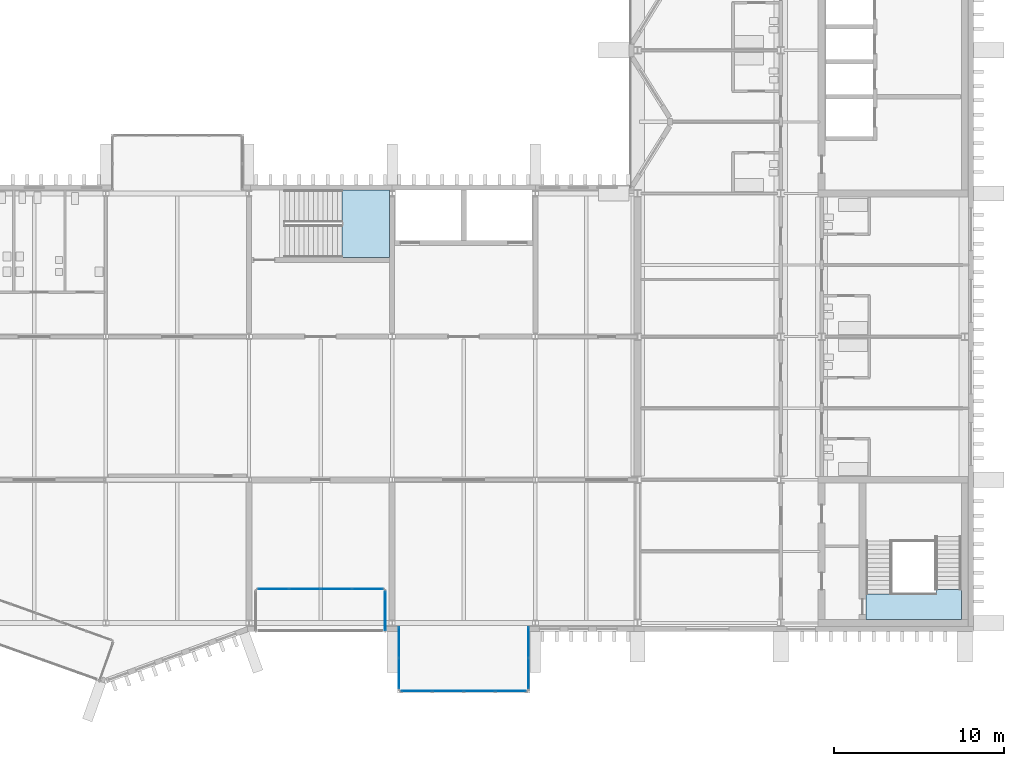
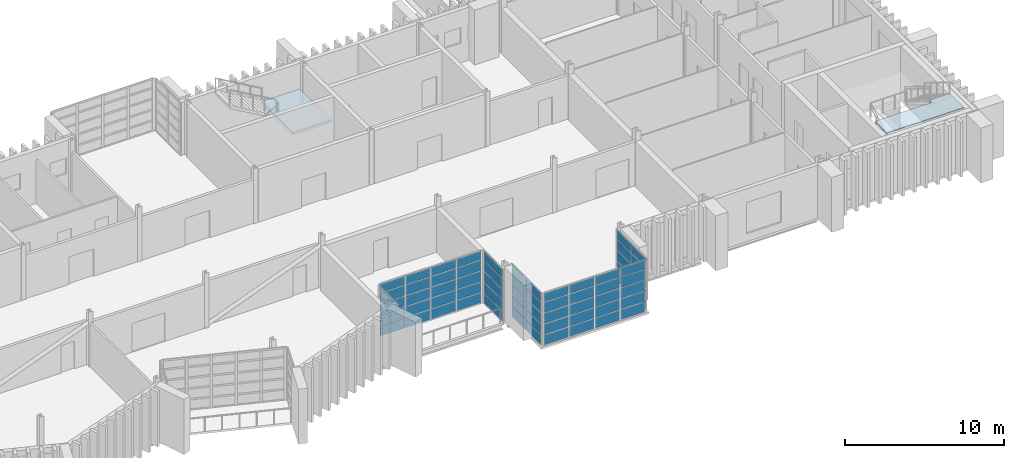
# One storey, part 55 of 100: 65 plates, 2 slabs, 7 elements without a shape of their own.
"""IFC4 building model written with IfcOpenShell, lengths in metres."""

import ifcopenshell
import ifcopenshell.guid

model = None  # the IFC model being written
_history = None  # IfcOwnerHistory: only IFC2X3 demands one
_inside = {}  # id of a spatial element -> (the spatial element, [elements in it])
_under = {}  # id of a project, library or spatial element -> (it, [spatial elements below it])
_declared = {}  # id of a project -> (the project, [libraries it declares])
_typed = {}  # id of a type object -> (the type object, [elements of that type])
_made_of = {}  # id of a material, layer set ... -> (it, [elements and type objects made of it])


def new_model(schema):
    """Start an empty IFC model of exactly this schema.

    Asked for "IFC4X3", IfcOpenShell would pick the latest addendum, in which some entities
    have other attributes; the version numbers below select the first issue.
    IFC2X3 requires an IfcOwnerHistory on every rooted entity: one is made here for all.
    """
    global model, _history
    if schema == "IFC4X3":
        model = ifcopenshell.file(schema_version=(4, 3, 0, 0))
    else:
        model = ifcopenshell.file(schema=schema)
    _inside.clear()
    _under.clear()
    _declared.clear()
    _typed.clear()
    _made_of.clear()
    _history = None
    if model.schema == "IFC2X3":
        org = make("IfcOrganization", Name="unknown")
        user = make(
            "IfcPersonAndOrganization",
            ThePerson=make("IfcPerson", FamilyName="unknown"),
            TheOrganization=org,
        )
        app = make(
            "IfcApplication",
            ApplicationDeveloper=org,
            Version="unknown",
            ApplicationFullName="unknown",
            ApplicationIdentifier="unknown",
        )
        _history = make(
            "IfcOwnerHistory",
            OwningUser=user,
            OwningApplication=app,
            ChangeAction="ADDED",
            CreationDate=0,
        )
    return model


def make(cls, **values):
    """One entity of the class cls with the attributes given. An attribute that is None is left unset."""
    return model.create_entity(
        cls, **{name: value for name, value in values.items() if value is not None}
    )


def rooted(cls, **values):
    """An entity with a GlobalId (a new one), such as an element, a storey or a relation."""
    return make(cls, GlobalId=ifcopenshell.guid.new(), OwnerHistory=_history, **values)


def si_unit(unit_type, name, prefix=None):
    """IfcSIUnit, for example si_unit("LENGTHUNIT", "METRE", prefix="MILLI")."""
    return make("IfcSIUnit", UnitType=unit_type, Prefix=prefix, Name=name)


def assignment(units):
    """IfcUnitAssignment: the units of a project."""
    return None if units is None else make("IfcUnitAssignment", Units=units)


def point(xyz):
    """IfcCartesianPoint."""
    return None if xyz is None else make("IfcCartesianPoint", Coordinates=xyz)


def direction(xyz):
    """IfcDirection."""
    return None if xyz is None else make("IfcDirection", DirectionRatios=xyz)


def frame(location, z_axis=None, x_axis=None):
    """IfcAxis2Placement3D, a coordinate frame: its origin and axes. An axis left out is left unset."""
    return make(
        "IfcAxis2Placement3D",
        Location=point(location),
        Axis=direction(z_axis),
        RefDirection=direction(x_axis),
    )


def frame_2d(location, x_axis=None):
    """IfcAxis2Placement2D, a coordinate frame in the plane: its origin and x axis."""
    return make(
        "IfcAxis2Placement2D", Location=point(location), RefDirection=direction(x_axis)
    )


def origin():
    """The frame at (0, 0, 0) with its axes left unset."""
    return frame((0.0, 0.0, 0.0))


def origin_2d():
    """The frame at (0, 0) in the plane with its x axis left unset."""
    return frame_2d((0.0, 0.0))


def place(relative_to, where):
    """IfcLocalPlacement: puts the frame where relative to a parent placement (None: the world)."""
    return make(
        "IfcLocalPlacement", PlacementRelTo=relative_to, RelativePlacement=where
    )


def context(
    kind, dimensions, precision=None, world=None, true_north=None, identifier=None
):
    """IfcGeometricRepresentationContext, for example the 3D "Model" context."""
    return make(
        "IfcGeometricRepresentationContext",
        ContextIdentifier=identifier,
        ContextType=kind,
        CoordinateSpaceDimension=dimensions,
        Precision=precision,
        WorldCoordinateSystem=world,
        TrueNorth=true_north,
    )


def subcontext(parent, identifier, kind, view, scale=None):
    """IfcGeometricRepresentationSubContext, for example "Body" below "Model"."""
    return make(
        "IfcGeometricRepresentationSubContext",
        ContextIdentifier=identifier,
        ContextType=kind,
        ParentContext=parent,
        TargetScale=scale,
        TargetView=view,
    )


def project(units=None, contexts=None):
    """IfcProject with its units and contexts."""
    return rooted(
        "IfcProject",
        Name="project",
        RepresentationContexts=contexts,
        UnitsInContext=assignment(units),
    )


def spatial(cls, under=None, at=None, **own):
    """A site, building, storey or space (cls), placed at a placement, below another one or the project."""
    s = rooted(cls, ObjectPlacement=at, **own)
    if under is not None:
        _under.setdefault(under.id(), (under, []))[1].append(s)
    return s


def polyline(points):
    """IfcPolyline through the points."""
    return make("IfcPolyline", Points=[point(p) for p in points])


def profile(cls, at=None, kind="AREA", **sizes):
    """A parametric profile (cls). Its sizes go by their IFC names, for example OverallWidth=200.0."""
    return make(cls, ProfileType=kind, Position=at, **sizes)


def rectangle(**sizes):
    """IfcRectangleProfileDef."""
    return profile("IfcRectangleProfileDef", **sizes)


def outline(outer, holes=None, kind="AREA"):
    """IfcArbitraryClosedProfileDef: a profile drawn as a closed curve; with holes, ...WithVoids."""
    if holes is None:
        return make("IfcArbitraryClosedProfileDef", ProfileType=kind, OuterCurve=outer)
    return make(
        "IfcArbitraryProfileDefWithVoids",
        ProfileType=kind,
        OuterCurve=outer,
        InnerCurves=holes,
    )


def extrude(swept, where, along, depth):
    """IfcExtrudedAreaSolid: the profile swept, set in the frame where, extruded along a direction by depth."""
    return make(
        "IfcExtrudedAreaSolid",
        SweptArea=swept,
        Position=where,
        ExtrudedDirection=direction(along),
        Depth=depth,
    )


def shape(context_of_items, identifier, shape_type, items):
    """IfcShapeRepresentation: the items that make up one representation, for example the "Body"."""
    return make(
        "IfcShapeRepresentation",
        ContextOfItems=context_of_items,
        RepresentationIdentifier=identifier,
        RepresentationType=shape_type,
        Items=items,
    )


def material(Name=None, Category=None):
    """IfcMaterial."""
    return make("IfcMaterial", Name=Name, Category=Category)


def layer(
    of_material, thickness, ventilated=None, Name=None, Category=None, Priority=None
):
    """IfcMaterialLayer: one layer of a wall or slab, of a material (None: an air gap)."""
    return make(
        "IfcMaterialLayer",
        Material=of_material,
        LayerThickness=thickness,
        IsVentilated=ventilated,
        Name=Name,
        Category=Category,
        Priority=Priority,
    )


def layer_set(layers, Name=None):
    """IfcMaterialLayerSet."""
    return make("IfcMaterialLayerSet", MaterialLayers=layers, LayerSetName=Name)


def made_of(thing, what):
    """Note that an element or type object is made of a material, layer set ...; save() writes the relation."""
    if what is not None:
        _made_of.setdefault(what.id(), (what, []))[1].append(thing)
    return thing


def type_object(cls, material=None, **own):
    """A type object (cls), such as IfcWallType, which elements share."""
    return made_of(rooted(cls, **own), material)


def element(
    cls,
    number,
    at=None,
    inside=None,
    cuts=None,
    type_object=None,
    material=None,
    context=None,
    identifier="Body",
    shape_type=None,
    held_by="IfcProductDefinitionShape",
    body=None,
    shapes=None,
    **own,
):
    """One element of the class cls, such as IfcWall. Its Tag is "e" and its number.

    at: its placement. inside: the storey or other place that contains it. cuts: it is an
    opening in that element (IfcRelVoidsElement). A single representation is given by context,
    identifier, shape_type and body (its items); several are given by shapes. held_by: the class
    of the entity that holds the representations. save() writes the other relations.
    """
    e = rooted(cls, Tag="e%d" % number, ObjectPlacement=at, **own)
    if body is not None:
        shapes = [shape(context, identifier, shape_type, body)]
    if shapes is not None:
        e.Representation = make(held_by, Representations=shapes)
    if inside is not None:
        _inside.setdefault(inside.id(), (inside, []))[1].append(e)
    if cuts is not None:
        rooted(
            "IfcRelVoidsElement", RelatingBuildingElement=cuts, RelatedOpeningElement=e
        )
    if type_object is not None:
        _typed.setdefault(type_object.id(), (type_object, []))[1].append(e)
    return made_of(e, material)


def aggregate(whole, parts):
    """IfcRelAggregates: a whole, such as a stair, and the parts it consists of."""
    return rooted("IfcRelAggregates", RelatingObject=whole, RelatedObjects=parts)


def save(model, path):
    """Write the relations noted so far, then the file.

    IfcRelAggregates (storeys below a building ...), IfcRelContainedInSpatialStructure (elements
    in a storey), IfcRelDefinesByType, IfcRelAssociatesMaterial and IfcRelDeclares: one each for
    every whole, place, type object, material and project.
    """
    for whole, parts in _under.values():
        aggregate(whole, parts)
    for where, things in _inside.values():
        rooted(
            "IfcRelContainedInSpatialStructure",
            RelatedElements=things,
            RelatingStructure=where,
        )
    for kind, things in _typed.values():
        rooted("IfcRelDefinesByType", RelatedObjects=things, RelatingType=kind)
    for what, things in _made_of.values():
        rooted("IfcRelAssociatesMaterial", RelatedObjects=things, RelatingMaterial=what)
    for by, libraries in _declared.values():
        rooted("IfcRelDeclares", RelatingContext=by, RelatedDefinitions=libraries)
    model.write(path)


model = new_model("IFC4")

# Units and contexts
model_context = context("Model", 3, precision=1e-05, world=origin(), true_north=direction((0.0, 1.0)))
body_context = subcontext(model_context, "Body", "Model", "MODEL_VIEW")
ifc_project = project(units=[si_unit("LENGTHUNIT", "METRE"), si_unit("AREAUNIT", "SQUARE_METRE"), si_unit("VOLUMEUNIT", "CUBIC_METRE"), si_unit("PLANEANGLEUNIT", "RADIAN"), si_unit("MASSUNIT", "GRAM", prefix="KILO")], contexts=[model_context])

# Site, building, storey
site_placement = place(None, origin())
site = spatial("IfcSite", under=ifc_project, at=site_placement, CompositionType="ELEMENT")
building_placement = place(site_placement, origin())
building = spatial("IfcBuilding", under=site, at=building_placement, Name="Cresset Court Congress Hotel", CompositionType="ELEMENT")
storey_placement = place(building_placement, frame((0.0, 0.0, 10.199951171875)))
storey = spatial("IfcBuildingStorey", under=building, at=storey_placement, Name="L02", CompositionType="ELEMENT", Elevation=10.199951171875)

# Curtain wall, plates
ifc_material_1 = material(Name="Aluminium frame with double glazing", Category="aluminium")
ifc_layer_1 = layer(ifc_material_1, 0.199951171875)
ifc_layer_set_1 = layer_set([ifc_layer_1], Name="Glazed box curtain wall 1680 module")
curtain_wall_type = type_object("IfcCurtainWallType", Name="Glazed box curtain wall 1680 module", PredefinedType="NOTDEFINED", material=ifc_layer_set_1)
curtain_wall_1_placement = place(storey_placement, origin())
curtain_wall_1 = element("IfcCurtainWall", 1, at=curtain_wall_1_placement, inside=storey, type_object=curtain_wall_type, Name="Glazed box S0219 front", PredefinedType="NOTDEFINED")
ifc_material_2 = material(Name="Toughened double glazing", Category="glass")
ifc_layer_2 = layer(ifc_material_2, 0.028076171875)
ifc_layer_set_2 = layer_set([ifc_layer_2], Name="Box glass panel 28")
plate_type_1 = type_object("IfcPlateType", Name="Box glass panel 28", PredefinedType="CURTAIN_PANEL", material=ifc_layer_set_2)
plate_1_placement = place(storey_placement, frame((135.840087890625, 2.0, 0.06005859375), z_axis=(0.0, 0.0, 1.0), x_axis=(1.0, 0.0, 0.0)))
plate_1 = element("IfcPlate", 2, at=plate_1_placement, type_object=plate_type_1, Name="B-X1 panel 1.1", PredefinedType="CURTAIN_PANEL", context=body_context, shape_type="SweptSolid", body=[
    extrude(rectangle(XDim=1.760009765625, YDim=0.028076171875, at=origin_2d()), origin(), (0.0, 0.0, 1.0), 0.739990234375),
])
plate_2_placement = place(storey_placement, frame((135.840087890625, 2.0, 0.860107421875), z_axis=(0.0, 0.0, 1.0), x_axis=(1.0, 0.0, 0.0)))
plate_2 = element("IfcPlate", 3, at=plate_2_placement, type_object=plate_type_1, Name="B-X1 panel 1.2", PredefinedType="CURTAIN_PANEL", context=body_context, shape_type="SweptSolid", body=[
    extrude(rectangle(XDim=1.760009765625, YDim=0.028076171875, at=origin_2d()), origin(), (0.0, 0.0, 1.0), 0.77001953125),
])
plate_3_placement = place(storey_placement, frame((135.840087890625, 2.0, 1.68994140625), z_axis=(0.0, 0.0, 1.0), x_axis=(1.0, 0.0, 0.0)))
plate_3 = element("IfcPlate", 4, at=plate_3_placement, type_object=plate_type_1, Name="B-X1 panel 1.3", PredefinedType="CURTAIN_PANEL", context=body_context, shape_type="SweptSolid", body=[
    extrude(rectangle(XDim=1.760009765625, YDim=0.028076171875, at=origin_2d()), origin(), (0.0, 0.0, 1.0), 0.77001953125),
])
plate_4_placement = place(storey_placement, frame((135.840087890625, 2.0, 2.52001953125), z_axis=(0.0, 0.0, 1.0), x_axis=(1.0, 0.0, 0.0)))
plate_4 = element("IfcPlate", 5, at=plate_4_placement, type_object=plate_type_1, Name="B-X1 panel 1.4", PredefinedType="CURTAIN_PANEL", context=body_context, shape_type="SweptSolid", body=[
    extrude(rectangle(XDim=1.760009765625, YDim=0.028076171875, at=origin_2d()), origin(), (0.0, 0.0, 1.0), 0.77001953125),
])
plate_5_placement = place(storey_placement, frame((137.675048828125, 2.0, 0.06005859375), z_axis=(0.0, 0.0, 1.0), x_axis=(1.0, 0.0, 0.0)))
plate_5 = element("IfcPlate", 6, at=plate_5_placement, type_object=plate_type_1, Name="B-X1 panel 2.1", PredefinedType="CURTAIN_PANEL", context=body_context, shape_type="SweptSolid", body=[
    extrude(rectangle(XDim=1.7900390625, YDim=0.028076171875, at=origin_2d()), origin(), (0.0, 0.0, 1.0), 0.739990234375),
])
plate_6_placement = place(storey_placement, frame((137.675048828125, 2.0, 0.860107421875), z_axis=(0.0, 0.0, 1.0), x_axis=(1.0, 0.0, 0.0)))
plate_6 = element("IfcPlate", 7, at=plate_6_placement, type_object=plate_type_1, Name="B-X1 panel 2.2", PredefinedType="CURTAIN_PANEL", context=body_context, shape_type="SweptSolid", body=[
    extrude(rectangle(XDim=1.7900390625, YDim=0.028076171875, at=origin_2d()), origin(), (0.0, 0.0, 1.0), 0.77001953125),
])
plate_7_placement = place(storey_placement, frame((137.675048828125, 2.0, 1.68994140625), z_axis=(0.0, 0.0, 1.0), x_axis=(1.0, 0.0, 0.0)))
plate_7 = element("IfcPlate", 8, at=plate_7_placement, type_object=plate_type_1, Name="B-X1 panel 2.3", PredefinedType="CURTAIN_PANEL", context=body_context, shape_type="SweptSolid", body=[
    extrude(rectangle(XDim=1.7900390625, YDim=0.028076171875, at=origin_2d()), origin(), (0.0, 0.0, 1.0), 0.77001953125),
])
plate_8_placement = place(storey_placement, frame((137.675048828125, 2.0, 2.52001953125), z_axis=(0.0, 0.0, 1.0), x_axis=(1.0, 0.0, 0.0)))
plate_8 = element("IfcPlate", 9, at=plate_8_placement, type_object=plate_type_1, Name="B-X1 panel 2.4", PredefinedType="CURTAIN_PANEL", context=body_context, shape_type="SweptSolid", body=[
    extrude(rectangle(XDim=1.7900390625, YDim=0.028076171875, at=origin_2d()), origin(), (0.0, 0.0, 1.0), 0.77001953125),
])
plate_9_placement = place(storey_placement, frame((139.52490234375, 2.0, 0.06005859375), z_axis=(0.0, 0.0, 1.0), x_axis=(1.0, 0.0, 0.0)))
plate_9 = element("IfcPlate", 10, at=plate_9_placement, type_object=plate_type_1, Name="B-X1 panel 3.1", PredefinedType="CURTAIN_PANEL", context=body_context, shape_type="SweptSolid", body=[
    extrude(rectangle(XDim=1.7900390625, YDim=0.028076171875, at=origin_2d()), origin(), (0.0, 0.0, 1.0), 0.739990234375),
])
plate_10_placement = place(storey_placement, frame((139.52490234375, 2.0, 0.860107421875), z_axis=(0.0, 0.0, 1.0), x_axis=(1.0, 0.0, 0.0)))
plate_10 = element("IfcPlate", 11, at=plate_10_placement, type_object=plate_type_1, Name="B-X1 panel 3.2", PredefinedType="CURTAIN_PANEL", context=body_context, shape_type="SweptSolid", body=[
    extrude(rectangle(XDim=1.7900390625, YDim=0.028076171875, at=origin_2d()), origin(), (0.0, 0.0, 1.0), 0.77001953125),
])
plate_11_placement = place(storey_placement, frame((139.52490234375, 2.0, 1.68994140625), z_axis=(0.0, 0.0, 1.0), x_axis=(1.0, 0.0, 0.0)))
plate_11 = element("IfcPlate", 12, at=plate_11_placement, type_object=plate_type_1, Name="B-X1 panel 3.3", PredefinedType="CURTAIN_PANEL", context=body_context, shape_type="SweptSolid", body=[
    extrude(rectangle(XDim=1.7900390625, YDim=0.028076171875, at=origin_2d()), origin(), (0.0, 0.0, 1.0), 0.77001953125),
])
plate_12_placement = place(storey_placement, frame((139.52490234375, 2.0, 2.52001953125), z_axis=(0.0, 0.0, 1.0), x_axis=(1.0, 0.0, 0.0)))
plate_12 = element("IfcPlate", 13, at=plate_12_placement, type_object=plate_type_1, Name="B-X1 panel 3.4", PredefinedType="CURTAIN_PANEL", context=body_context, shape_type="SweptSolid", body=[
    extrude(rectangle(XDim=1.7900390625, YDim=0.028076171875, at=origin_2d()), origin(), (0.0, 0.0, 1.0), 0.77001953125),
])
plate_13_placement = place(storey_placement, frame((141.360107421875, 2.0, 0.06005859375), z_axis=(0.0, 0.0, 1.0), x_axis=(1.0, 0.0, 0.0)))
plate_13 = element("IfcPlate", 14, at=plate_13_placement, type_object=plate_type_1, Name="B-X1 panel 4.1", PredefinedType="CURTAIN_PANEL", context=body_context, shape_type="SweptSolid", body=[
    extrude(rectangle(XDim=1.760009765625, YDim=0.028076171875, at=origin_2d()), origin(), (0.0, 0.0, 1.0), 0.739990234375),
])
plate_14_placement = place(storey_placement, frame((141.360107421875, 2.0, 0.860107421875), z_axis=(0.0, 0.0, 1.0), x_axis=(1.0, 0.0, 0.0)))
plate_14 = element("IfcPlate", 15, at=plate_14_placement, type_object=plate_type_1, Name="B-X1 panel 4.2", PredefinedType="CURTAIN_PANEL", context=body_context, shape_type="SweptSolid", body=[
    extrude(rectangle(XDim=1.760009765625, YDim=0.028076171875, at=origin_2d()), origin(), (0.0, 0.0, 1.0), 0.77001953125),
])
plate_15_placement = place(storey_placement, frame((141.360107421875, 2.0, 1.68994140625), z_axis=(0.0, 0.0, 1.0), x_axis=(1.0, 0.0, 0.0)))
plate_15 = element("IfcPlate", 16, at=plate_15_placement, type_object=plate_type_1, Name="B-X1 panel 4.3", PredefinedType="CURTAIN_PANEL", context=body_context, shape_type="SweptSolid", body=[
    extrude(rectangle(XDim=1.760009765625, YDim=0.028076171875, at=origin_2d()), origin(), (0.0, 0.0, 1.0), 0.77001953125),
])
plate_16_placement = place(storey_placement, frame((141.360107421875, 2.0, 2.52001953125), z_axis=(0.0, 0.0, 1.0), x_axis=(1.0, 0.0, 0.0)))
plate_16 = element("IfcPlate", 17, at=plate_16_placement, type_object=plate_type_1, Name="B-X1 panel 4.4", PredefinedType="CURTAIN_PANEL", context=body_context, shape_type="SweptSolid", body=[
    extrude(rectangle(XDim=1.760009765625, YDim=0.028076171875, at=origin_2d()), origin(), (0.0, 0.0, 1.0), 0.77001953125),
])

curtain_wall_2_placement = place(storey_placement, origin())
curtain_wall_2 = element("IfcCurtainWall", 18, at=curtain_wall_2_placement, inside=storey, type_object=curtain_wall_type, Name="Glazed box S0219 side", PredefinedType="NOTDEFINED")
plate_17_placement = place(storey_placement, frame((142.39990234375, 0.699951171875, 0.06005859375), z_axis=(0.0, 0.0, 1.0), x_axis=(0.0, 1.0, 0.0)))
plate_17 = element("IfcPlate", 19, at=plate_17_placement, type_object=plate_type_1, Name="B-X1 panel 1.1", PredefinedType="CURTAIN_PANEL", context=body_context, shape_type="SweptSolid", body=[
    extrude(rectangle(XDim=2.280029296875, YDim=0.028076171875, at=origin_2d()), origin(), (0.0, 0.0, 1.0), 0.739990234375),
])
plate_18_placement = place(storey_placement, frame((142.39990234375, 0.699951171875, 0.860107421875), z_axis=(0.0, 0.0, 1.0), x_axis=(0.0, 1.0, 0.0)))
plate_18 = element("IfcPlate", 20, at=plate_18_placement, type_object=plate_type_1, Name="B-X1 panel 1.2", PredefinedType="CURTAIN_PANEL", context=body_context, shape_type="SweptSolid", body=[
    extrude(rectangle(XDim=2.280029296875, YDim=0.028076171875, at=origin_2d()), origin(), (0.0, 0.0, 1.0), 0.77001953125),
])
plate_19_placement = place(storey_placement, frame((142.39990234375, 0.699951171875, 1.68994140625), z_axis=(0.0, 0.0, 1.0), x_axis=(0.0, 1.0, 0.0)))
plate_19 = element("IfcPlate", 21, at=plate_19_placement, type_object=plate_type_1, Name="B-X1 panel 1.3", PredefinedType="CURTAIN_PANEL", context=body_context, shape_type="SweptSolid", body=[
    extrude(rectangle(XDim=2.280029296875, YDim=0.028076171875, at=origin_2d()), origin(), (0.0, 0.0, 1.0), 0.77001953125),
])
plate_20_placement = place(storey_placement, frame((142.39990234375, 0.699951171875, 2.52001953125), z_axis=(0.0, 0.0, 1.0), x_axis=(0.0, 1.0, 0.0)))
plate_20 = element("IfcPlate", 22, at=plate_20_placement, type_object=plate_type_1, Name="B-X1 panel 1.4", PredefinedType="CURTAIN_PANEL", context=body_context, shape_type="SweptSolid", body=[
    extrude(rectangle(XDim=2.280029296875, YDim=0.028076171875, at=origin_2d()), origin(), (0.0, 0.0, 1.0), 0.77001953125),
])

curtain_wall_3_placement = place(storey_placement, origin())
curtain_wall_3 = element("IfcCurtainWall", 23, at=curtain_wall_3_placement, inside=storey, type_object=curtain_wall_type, Name="Glazed box S0222 front", PredefinedType="NOTDEFINED")
plate_21_placement = place(storey_placement, frame((144.239990234375, -4.0, 0.06005859375), z_axis=(0.0, 0.0, 1.0), x_axis=(1.0, 0.0, 0.0)))
plate_21 = element("IfcPlate", 24, at=plate_21_placement, type_object=plate_type_1, Name="B-X1 panel 1.1", PredefinedType="CURTAIN_PANEL", context=body_context, shape_type="SweptSolid", body=[
    extrude(rectangle(XDim=1.760009765625, YDim=0.028076171875, at=origin_2d()), origin(), (0.0, 0.0, 1.0), 0.739990234375),
])
plate_22_placement = place(storey_placement, frame((144.239990234375, -4.0, 0.860107421875), z_axis=(0.0, 0.0, 1.0), x_axis=(1.0, 0.0, 0.0)))
plate_22 = element("IfcPlate", 25, at=plate_22_placement, type_object=plate_type_1, Name="B-X1 panel 1.2", PredefinedType="CURTAIN_PANEL", context=body_context, shape_type="SweptSolid", body=[
    extrude(rectangle(XDim=1.760009765625, YDim=0.028076171875, at=origin_2d()), origin(), (0.0, 0.0, 1.0), 0.77001953125),
])
plate_23_placement = place(storey_placement, frame((144.239990234375, -4.0, 1.68994140625), z_axis=(0.0, 0.0, 1.0), x_axis=(1.0, 0.0, 0.0)))
plate_23 = element("IfcPlate", 26, at=plate_23_placement, type_object=plate_type_1, Name="B-X1 panel 1.3", PredefinedType="CURTAIN_PANEL", context=body_context, shape_type="SweptSolid", body=[
    extrude(rectangle(XDim=1.760009765625, YDim=0.028076171875, at=origin_2d()), origin(), (0.0, 0.0, 1.0), 0.77001953125),
])
plate_24_placement = place(storey_placement, frame((144.239990234375, -4.0, 2.52001953125), z_axis=(0.0, 0.0, 1.0), x_axis=(1.0, 0.0, 0.0)))
plate_24 = element("IfcPlate", 27, at=plate_24_placement, type_object=plate_type_1, Name="B-X1 panel 1.4", PredefinedType="CURTAIN_PANEL", context=body_context, shape_type="SweptSolid", body=[
    extrude(rectangle(XDim=1.760009765625, YDim=0.028076171875, at=origin_2d()), origin(), (0.0, 0.0, 1.0), 0.77001953125),
])
plate_25_placement = place(storey_placement, frame((146.074951171875, -4.0, 0.06005859375), z_axis=(0.0, 0.0, 1.0), x_axis=(1.0, 0.0, 0.0)))
plate_25 = element("IfcPlate", 28, at=plate_25_placement, type_object=plate_type_1, Name="B-X1 panel 2.1", PredefinedType="CURTAIN_PANEL", context=body_context, shape_type="SweptSolid", body=[
    extrude(rectangle(XDim=1.7900390625, YDim=0.028076171875, at=origin_2d()), origin(), (0.0, 0.0, 1.0), 0.739990234375),
])
plate_26_placement = place(storey_placement, frame((146.074951171875, -4.0, 0.860107421875), z_axis=(0.0, 0.0, 1.0), x_axis=(1.0, 0.0, 0.0)))
plate_26 = element("IfcPlate", 29, at=plate_26_placement, type_object=plate_type_1, Name="B-X1 panel 2.2", PredefinedType="CURTAIN_PANEL", context=body_context, shape_type="SweptSolid", body=[
    extrude(rectangle(XDim=1.7900390625, YDim=0.028076171875, at=origin_2d()), origin(), (0.0, 0.0, 1.0), 0.77001953125),
])
plate_27_placement = place(storey_placement, frame((146.074951171875, -4.0, 1.68994140625), z_axis=(0.0, 0.0, 1.0), x_axis=(1.0, 0.0, 0.0)))
plate_27 = element("IfcPlate", 30, at=plate_27_placement, type_object=plate_type_1, Name="B-X1 panel 2.3", PredefinedType="CURTAIN_PANEL", context=body_context, shape_type="SweptSolid", body=[
    extrude(rectangle(XDim=1.7900390625, YDim=0.028076171875, at=origin_2d()), origin(), (0.0, 0.0, 1.0), 0.77001953125),
])
plate_28_placement = place(storey_placement, frame((146.074951171875, -4.0, 2.52001953125), z_axis=(0.0, 0.0, 1.0), x_axis=(1.0, 0.0, 0.0)))
plate_28 = element("IfcPlate", 31, at=plate_28_placement, type_object=plate_type_1, Name="B-X1 panel 2.4", PredefinedType="CURTAIN_PANEL", context=body_context, shape_type="SweptSolid", body=[
    extrude(rectangle(XDim=1.7900390625, YDim=0.028076171875, at=origin_2d()), origin(), (0.0, 0.0, 1.0), 0.77001953125),
])
plate_29_placement = place(storey_placement, frame((147.925048828125, -4.0, 0.06005859375), z_axis=(0.0, 0.0, 1.0), x_axis=(1.0, 0.0, 0.0)))
plate_29 = element("IfcPlate", 32, at=plate_29_placement, type_object=plate_type_1, Name="B-X1 panel 3.1", PredefinedType="CURTAIN_PANEL", context=body_context, shape_type="SweptSolid", body=[
    extrude(rectangle(XDim=1.7900390625, YDim=0.028076171875, at=origin_2d()), origin(), (0.0, 0.0, 1.0), 0.739990234375),
])
plate_30_placement = place(storey_placement, frame((147.925048828125, -4.0, 0.860107421875), z_axis=(0.0, 0.0, 1.0), x_axis=(1.0, 0.0, 0.0)))
plate_30 = element("IfcPlate", 33, at=plate_30_placement, type_object=plate_type_1, Name="B-X1 panel 3.2", PredefinedType="CURTAIN_PANEL", context=body_context, shape_type="SweptSolid", body=[
    extrude(rectangle(XDim=1.7900390625, YDim=0.028076171875, at=origin_2d()), origin(), (0.0, 0.0, 1.0), 0.77001953125),
])
plate_31_placement = place(storey_placement, frame((147.925048828125, -4.0, 1.68994140625), z_axis=(0.0, 0.0, 1.0), x_axis=(1.0, 0.0, 0.0)))
plate_31 = element("IfcPlate", 34, at=plate_31_placement, type_object=plate_type_1, Name="B-X1 panel 3.3", PredefinedType="CURTAIN_PANEL", context=body_context, shape_type="SweptSolid", body=[
    extrude(rectangle(XDim=1.7900390625, YDim=0.028076171875, at=origin_2d()), origin(), (0.0, 0.0, 1.0), 0.77001953125),
])
plate_32_placement = place(storey_placement, frame((147.925048828125, -4.0, 2.52001953125), z_axis=(0.0, 0.0, 1.0), x_axis=(1.0, 0.0, 0.0)))
plate_32 = element("IfcPlate", 35, at=plate_32_placement, type_object=plate_type_1, Name="B-X1 panel 3.4", PredefinedType="CURTAIN_PANEL", context=body_context, shape_type="SweptSolid", body=[
    extrude(rectangle(XDim=1.7900390625, YDim=0.028076171875, at=origin_2d()), origin(), (0.0, 0.0, 1.0), 0.77001953125),
])
plate_33_placement = place(storey_placement, frame((149.760009765625, -4.0, 0.06005859375), z_axis=(0.0, 0.0, 1.0), x_axis=(1.0, 0.0, 0.0)))
plate_33 = element("IfcPlate", 36, at=plate_33_placement, type_object=plate_type_1, Name="B-X1 panel 4.1", PredefinedType="CURTAIN_PANEL", context=body_context, shape_type="SweptSolid", body=[
    extrude(rectangle(XDim=1.760009765625, YDim=0.028076171875, at=origin_2d()), origin(), (0.0, 0.0, 1.0), 0.739990234375),
])
plate_34_placement = place(storey_placement, frame((149.760009765625, -4.0, 0.860107421875), z_axis=(0.0, 0.0, 1.0), x_axis=(1.0, 0.0, 0.0)))
plate_34 = element("IfcPlate", 37, at=plate_34_placement, type_object=plate_type_1, Name="B-X1 panel 4.2", PredefinedType="CURTAIN_PANEL", context=body_context, shape_type="SweptSolid", body=[
    extrude(rectangle(XDim=1.760009765625, YDim=0.028076171875, at=origin_2d()), origin(), (0.0, 0.0, 1.0), 0.77001953125),
])
plate_35_placement = place(storey_placement, frame((149.760009765625, -4.0, 1.68994140625), z_axis=(0.0, 0.0, 1.0), x_axis=(1.0, 0.0, 0.0)))
plate_35 = element("IfcPlate", 38, at=plate_35_placement, type_object=plate_type_1, Name="B-X1 panel 4.3", PredefinedType="CURTAIN_PANEL", context=body_context, shape_type="SweptSolid", body=[
    extrude(rectangle(XDim=1.760009765625, YDim=0.028076171875, at=origin_2d()), origin(), (0.0, 0.0, 1.0), 0.77001953125),
])
plate_36_placement = place(storey_placement, frame((149.760009765625, -4.0, 2.52001953125), z_axis=(0.0, 0.0, 1.0), x_axis=(1.0, 0.0, 0.0)))
plate_36 = element("IfcPlate", 39, at=plate_36_placement, type_object=plate_type_1, Name="B-X1 panel 4.4", PredefinedType="CURTAIN_PANEL", context=body_context, shape_type="SweptSolid", body=[
    extrude(rectangle(XDim=1.760009765625, YDim=0.028076171875, at=origin_2d()), origin(), (0.0, 0.0, 1.0), 0.77001953125),
])

curtain_wall_4_placement = place(storey_placement, origin())
curtain_wall_4 = element("IfcCurtainWall", 40, at=curtain_wall_4_placement, inside=storey, type_object=curtain_wall_type, Name="Glazed box S0222 side", PredefinedType="NOTDEFINED")
plate_37_placement = place(storey_placement, frame((143.199951171875, -1.139892578125, 0.06005859375), z_axis=(0.0, 0.0, 1.0), x_axis=(0.0, -1.0, 0.0)))
plate_37 = element("IfcPlate", 41, at=plate_37_placement, type_object=plate_type_1, Name="B-X1 panel 1.1", PredefinedType="CURTAIN_PANEL", context=body_context, shape_type="SweptSolid", body=[
    extrude(rectangle(XDim=1.760009765625, YDim=0.028076171875, at=origin_2d()), origin(), (0.0, 0.0, 1.0), 0.739990234375),
])
plate_38_placement = place(storey_placement, frame((143.199951171875, -1.139892578125, 0.860107421875), z_axis=(0.0, 0.0, 1.0), x_axis=(0.0, -1.0, 0.0)))
plate_38 = element("IfcPlate", 42, at=plate_38_placement, type_object=plate_type_1, Name="B-X1 panel 1.2", PredefinedType="CURTAIN_PANEL", context=body_context, shape_type="SweptSolid", body=[
    extrude(rectangle(XDim=1.760009765625, YDim=0.028076171875, at=origin_2d()), origin(), (0.0, 0.0, 1.0), 0.77001953125),
])
plate_39_placement = place(storey_placement, frame((143.199951171875, -1.139892578125, 1.68994140625), z_axis=(0.0, 0.0, 1.0), x_axis=(0.0, -1.0, 0.0)))
plate_39 = element("IfcPlate", 43, at=plate_39_placement, type_object=plate_type_1, Name="B-X1 panel 1.3", PredefinedType="CURTAIN_PANEL", context=body_context, shape_type="SweptSolid", body=[
    extrude(rectangle(XDim=1.760009765625, YDim=0.028076171875, at=origin_2d()), origin(), (0.0, 0.0, 1.0), 0.77001953125),
])
plate_40_placement = place(storey_placement, frame((143.199951171875, -1.139892578125, 2.52001953125), z_axis=(0.0, 0.0, 1.0), x_axis=(0.0, -1.0, 0.0)))
plate_40 = element("IfcPlate", 44, at=plate_40_placement, type_object=plate_type_1, Name="B-X1 panel 1.4", PredefinedType="CURTAIN_PANEL", context=body_context, shape_type="SweptSolid", body=[
    extrude(rectangle(XDim=1.760009765625, YDim=0.028076171875, at=origin_2d()), origin(), (0.0, 0.0, 1.0), 0.77001953125),
])
plate_41_placement = place(storey_placement, frame((143.199951171875, -2.9599609375, 0.06005859375), z_axis=(0.0, 0.0, 1.0), x_axis=(0.0, -1.0, 0.0)))
plate_41 = element("IfcPlate", 45, at=plate_41_placement, type_object=plate_type_1, Name="B-X1 panel 2.1", PredefinedType="CURTAIN_PANEL", context=body_context, shape_type="SweptSolid", body=[
    extrude(rectangle(XDim=1.760009765625, YDim=0.028076171875, at=origin_2d()), origin(), (0.0, 0.0, 1.0), 0.739990234375),
])
plate_42_placement = place(storey_placement, frame((143.199951171875, -2.9599609375, 0.860107421875), z_axis=(0.0, 0.0, 1.0), x_axis=(0.0, -1.0, 0.0)))
plate_42 = element("IfcPlate", 46, at=plate_42_placement, type_object=plate_type_1, Name="B-X1 panel 2.2", PredefinedType="CURTAIN_PANEL", context=body_context, shape_type="SweptSolid", body=[
    extrude(rectangle(XDim=1.760009765625, YDim=0.028076171875, at=origin_2d()), origin(), (0.0, 0.0, 1.0), 0.77001953125),
])
plate_43_placement = place(storey_placement, frame((143.199951171875, -2.9599609375, 1.68994140625), z_axis=(0.0, 0.0, 1.0), x_axis=(0.0, -1.0, 0.0)))
plate_43 = element("IfcPlate", 47, at=plate_43_placement, type_object=plate_type_1, Name="B-X1 panel 2.3", PredefinedType="CURTAIN_PANEL", context=body_context, shape_type="SweptSolid", body=[
    extrude(rectangle(XDim=1.760009765625, YDim=0.028076171875, at=origin_2d()), origin(), (0.0, 0.0, 1.0), 0.77001953125),
])
plate_44_placement = place(storey_placement, frame((143.199951171875, -2.9599609375, 2.52001953125), z_axis=(0.0, 0.0, 1.0), x_axis=(0.0, -1.0, 0.0)))
plate_44 = element("IfcPlate", 48, at=plate_44_placement, type_object=plate_type_1, Name="B-X1 panel 2.4", PredefinedType="CURTAIN_PANEL", context=body_context, shape_type="SweptSolid", body=[
    extrude(rectangle(XDim=1.760009765625, YDim=0.028076171875, at=origin_2d()), origin(), (0.0, 0.0, 1.0), 0.77001953125),
])

curtain_wall_5_placement = place(storey_placement, origin())
curtain_wall_5 = element("IfcCurtainWall", 49, at=curtain_wall_5_placement, inside=storey, type_object=curtain_wall_type, Name="Glazed box S0222 side", PredefinedType="NOTDEFINED")
plate_45_placement = place(storey_placement, frame((150.800048828125, -1.139892578125, 0.06005859375), z_axis=(0.0, 0.0, 1.0), x_axis=(0.0, -1.0, 0.0)))
plate_45 = element("IfcPlate", 50, at=plate_45_placement, type_object=plate_type_1, Name="B-X1 panel 1.1", PredefinedType="CURTAIN_PANEL", context=body_context, shape_type="SweptSolid", body=[
    extrude(rectangle(XDim=1.760009765625, YDim=0.028076171875, at=origin_2d()), origin(), (0.0, 0.0, 1.0), 0.739990234375),
])
plate_46_placement = place(storey_placement, frame((150.800048828125, -1.139892578125, 0.860107421875), z_axis=(0.0, 0.0, 1.0), x_axis=(0.0, -1.0, 0.0)))
plate_46 = element("IfcPlate", 51, at=plate_46_placement, type_object=plate_type_1, Name="B-X1 panel 1.2", PredefinedType="CURTAIN_PANEL", context=body_context, shape_type="SweptSolid", body=[
    extrude(rectangle(XDim=1.760009765625, YDim=0.028076171875, at=origin_2d()), origin(), (0.0, 0.0, 1.0), 0.77001953125),
])
plate_47_placement = place(storey_placement, frame((150.800048828125, -1.139892578125, 1.68994140625), z_axis=(0.0, 0.0, 1.0), x_axis=(0.0, -1.0, 0.0)))
plate_47 = element("IfcPlate", 52, at=plate_47_placement, type_object=plate_type_1, Name="B-X1 panel 1.3", PredefinedType="CURTAIN_PANEL", context=body_context, shape_type="SweptSolid", body=[
    extrude(rectangle(XDim=1.760009765625, YDim=0.028076171875, at=origin_2d()), origin(), (0.0, 0.0, 1.0), 0.77001953125),
])
plate_48_placement = place(storey_placement, frame((150.800048828125, -1.139892578125, 2.52001953125), z_axis=(0.0, 0.0, 1.0), x_axis=(0.0, -1.0, 0.0)))
plate_48 = element("IfcPlate", 53, at=plate_48_placement, type_object=plate_type_1, Name="B-X1 panel 1.4", PredefinedType="CURTAIN_PANEL", context=body_context, shape_type="SweptSolid", body=[
    extrude(rectangle(XDim=1.760009765625, YDim=0.028076171875, at=origin_2d()), origin(), (0.0, 0.0, 1.0), 0.77001953125),
])
plate_49_placement = place(storey_placement, frame((150.800048828125, -2.9599609375, 0.06005859375), z_axis=(0.0, 0.0, 1.0), x_axis=(0.0, -1.0, 0.0)))
plate_49 = element("IfcPlate", 54, at=plate_49_placement, type_object=plate_type_1, Name="B-X1 panel 2.1", PredefinedType="CURTAIN_PANEL", context=body_context, shape_type="SweptSolid", body=[
    extrude(rectangle(XDim=1.760009765625, YDim=0.028076171875, at=origin_2d()), origin(), (0.0, 0.0, 1.0), 0.739990234375),
])
plate_50_placement = place(storey_placement, frame((150.800048828125, -2.9599609375, 0.860107421875), z_axis=(0.0, 0.0, 1.0), x_axis=(0.0, -1.0, 0.0)))
plate_50 = element("IfcPlate", 55, at=plate_50_placement, type_object=plate_type_1, Name="B-X1 panel 2.2", PredefinedType="CURTAIN_PANEL", context=body_context, shape_type="SweptSolid", body=[
    extrude(rectangle(XDim=1.760009765625, YDim=0.028076171875, at=origin_2d()), origin(), (0.0, 0.0, 1.0), 0.77001953125),
])
plate_51_placement = place(storey_placement, frame((150.800048828125, -2.9599609375, 1.68994140625), z_axis=(0.0, 0.0, 1.0), x_axis=(0.0, -1.0, 0.0)))
plate_51 = element("IfcPlate", 56, at=plate_51_placement, type_object=plate_type_1, Name="B-X1 panel 2.3", PredefinedType="CURTAIN_PANEL", context=body_context, shape_type="SweptSolid", body=[
    extrude(rectangle(XDim=1.760009765625, YDim=0.028076171875, at=origin_2d()), origin(), (0.0, 0.0, 1.0), 0.77001953125),
])
plate_52_placement = place(storey_placement, frame((150.800048828125, -2.9599609375, 2.52001953125), z_axis=(0.0, 0.0, 1.0), x_axis=(0.0, -1.0, 0.0)))
plate_52 = element("IfcPlate", 57, at=plate_52_placement, type_object=plate_type_1, Name="B-X1 panel 2.4", PredefinedType="CURTAIN_PANEL", context=body_context, shape_type="SweptSolid", body=[
    extrude(rectangle(XDim=1.760009765625, YDim=0.028076171875, at=origin_2d()), origin(), (0.0, 0.0, 1.0), 0.77001953125),
])

# Plate
ifc_material_3 = material(Name="Insulated aluminium spandrel panel", Category="aluminium")
ifc_layer_3 = layer(ifc_material_3, 0.0400390625)
ifc_layer_set_3 = layer_set([ifc_layer_3], Name="Box spandrel panel 40")
plate_type_2 = type_object("IfcPlateType", Name="Box spandrel panel 40", PredefinedType="CURTAIN_PANEL", material=ifc_layer_set_3)
plate_53_placement = place(storey_placement, frame((135.840087890625, 2.0, 3.35009765625), z_axis=(0.0, 0.0, 1.0), x_axis=(1.0, 0.0, 0.0)))
plate_53 = element("IfcPlate", 58, at=plate_53_placement, type_object=plate_type_2, Name="B-X1 spandrel panel 1.5", PredefinedType="CURTAIN_PANEL", context=body_context, shape_type="SweptSolid", body=[
    extrude(rectangle(XDim=1.760009765625, YDim=0.0400390625, at=origin_2d()), origin(), (0.0, 0.0, 1.0), 0.639892578125),
])

plate_54_placement = place(storey_placement, frame((137.675048828125, 2.0, 3.35009765625), z_axis=(0.0, 0.0, 1.0), x_axis=(1.0, 0.0, 0.0)))
plate_54 = element("IfcPlate", 59, at=plate_54_placement, type_object=plate_type_2, Name="B-X1 spandrel panel 2.5", PredefinedType="CURTAIN_PANEL", context=body_context, shape_type="SweptSolid", body=[
    extrude(rectangle(XDim=1.7900390625, YDim=0.0400390625, at=origin_2d()), origin(), (0.0, 0.0, 1.0), 0.639892578125),
])

plate_55_placement = place(storey_placement, frame((139.52490234375, 2.0, 3.35009765625), z_axis=(0.0, 0.0, 1.0), x_axis=(1.0, 0.0, 0.0)))
plate_55 = element("IfcPlate", 60, at=plate_55_placement, type_object=plate_type_2, Name="B-X1 spandrel panel 3.5", PredefinedType="CURTAIN_PANEL", context=body_context, shape_type="SweptSolid", body=[
    extrude(rectangle(XDim=1.7900390625, YDim=0.0400390625, at=origin_2d()), origin(), (0.0, 0.0, 1.0), 0.639892578125),
])

plate_56_placement = place(storey_placement, frame((141.360107421875, 2.0, 3.35009765625), z_axis=(0.0, 0.0, 1.0), x_axis=(1.0, 0.0, 0.0)))
plate_56 = element("IfcPlate", 61, at=plate_56_placement, type_object=plate_type_2, Name="B-X1 spandrel panel 4.5", PredefinedType="CURTAIN_PANEL", context=body_context, shape_type="SweptSolid", body=[
    extrude(rectangle(XDim=1.760009765625, YDim=0.0400390625, at=origin_2d()), origin(), (0.0, 0.0, 1.0), 0.639892578125),
])

aggregate(curtain_wall_1, [plate_1, plate_2, plate_3, plate_4, plate_53, plate_5, plate_6, plate_7, plate_8, plate_54, plate_9, plate_10, plate_11, plate_12, plate_55, plate_13, plate_14, plate_15, plate_16, plate_56])

plate_57_placement = place(storey_placement, frame((142.39990234375, 0.699951171875, 3.35009765625), z_axis=(0.0, 0.0, 1.0), x_axis=(0.0, 1.0, 0.0)))
plate_57 = element("IfcPlate", 62, at=plate_57_placement, type_object=plate_type_2, Name="B-X1 spandrel panel 1.5", PredefinedType="CURTAIN_PANEL", context=body_context, shape_type="SweptSolid", body=[
    extrude(rectangle(XDim=2.280029296875, YDim=0.0400390625, at=origin_2d()), origin(), (0.0, 0.0, 1.0), 0.639892578125),
])

aggregate(curtain_wall_2, [plate_17, plate_18, plate_19, plate_20, plate_57])

plate_58_placement = place(storey_placement, frame((144.239990234375, -4.0, 3.35009765625), z_axis=(0.0, 0.0, 1.0), x_axis=(1.0, 0.0, 0.0)))
plate_58 = element("IfcPlate", 63, at=plate_58_placement, type_object=plate_type_2, Name="B-X1 spandrel panel 1.5", PredefinedType="CURTAIN_PANEL", context=body_context, shape_type="SweptSolid", body=[
    extrude(rectangle(XDim=1.760009765625, YDim=0.0400390625, at=origin_2d()), origin(), (0.0, 0.0, 1.0), 0.639892578125),
])

plate_59_placement = place(storey_placement, frame((146.074951171875, -4.0, 3.35009765625), z_axis=(0.0, 0.0, 1.0), x_axis=(1.0, 0.0, 0.0)))
plate_59 = element("IfcPlate", 64, at=plate_59_placement, type_object=plate_type_2, Name="B-X1 spandrel panel 2.5", PredefinedType="CURTAIN_PANEL", context=body_context, shape_type="SweptSolid", body=[
    extrude(rectangle(XDim=1.7900390625, YDim=0.0400390625, at=origin_2d()), origin(), (0.0, 0.0, 1.0), 0.639892578125),
])

plate_60_placement = place(storey_placement, frame((147.925048828125, -4.0, 3.35009765625), z_axis=(0.0, 0.0, 1.0), x_axis=(1.0, 0.0, 0.0)))
plate_60 = element("IfcPlate", 65, at=plate_60_placement, type_object=plate_type_2, Name="B-X1 spandrel panel 3.5", PredefinedType="CURTAIN_PANEL", context=body_context, shape_type="SweptSolid", body=[
    extrude(rectangle(XDim=1.7900390625, YDim=0.0400390625, at=origin_2d()), origin(), (0.0, 0.0, 1.0), 0.639892578125),
])

plate_61_placement = place(storey_placement, frame((149.760009765625, -4.0, 3.35009765625), z_axis=(0.0, 0.0, 1.0), x_axis=(1.0, 0.0, 0.0)))
plate_61 = element("IfcPlate", 66, at=plate_61_placement, type_object=plate_type_2, Name="B-X1 spandrel panel 4.5", PredefinedType="CURTAIN_PANEL", context=body_context, shape_type="SweptSolid", body=[
    extrude(rectangle(XDim=1.760009765625, YDim=0.0400390625, at=origin_2d()), origin(), (0.0, 0.0, 1.0), 0.639892578125),
])

aggregate(curtain_wall_3, [plate_21, plate_22, plate_23, plate_24, plate_58, plate_25, plate_26, plate_27, plate_28, plate_59, plate_29, plate_30, plate_31, plate_32, plate_60, plate_33, plate_34, plate_35, plate_36, plate_61])

plate_62_placement = place(storey_placement, frame((143.199951171875, -1.139892578125, 3.35009765625), z_axis=(0.0, 0.0, 1.0), x_axis=(0.0, -1.0, 0.0)))
plate_62 = element("IfcPlate", 67, at=plate_62_placement, type_object=plate_type_2, Name="B-X1 spandrel panel 1.5", PredefinedType="CURTAIN_PANEL", context=body_context, shape_type="SweptSolid", body=[
    extrude(rectangle(XDim=1.760009765625, YDim=0.0400390625, at=origin_2d()), origin(), (0.0, 0.0, 1.0), 0.639892578125),
])

plate_63_placement = place(storey_placement, frame((143.199951171875, -2.9599609375, 3.35009765625), z_axis=(0.0, 0.0, 1.0), x_axis=(0.0, -1.0, 0.0)))
plate_63 = element("IfcPlate", 68, at=plate_63_placement, type_object=plate_type_2, Name="B-X1 spandrel panel 2.5", PredefinedType="CURTAIN_PANEL", context=body_context, shape_type="SweptSolid", body=[
    extrude(rectangle(XDim=1.760009765625, YDim=0.0400390625, at=origin_2d()), origin(), (0.0, 0.0, 1.0), 0.639892578125),
])

aggregate(curtain_wall_4, [plate_37, plate_38, plate_39, plate_40, plate_62, plate_41, plate_42, plate_43, plate_44, plate_63])

plate_64_placement = place(storey_placement, frame((150.800048828125, -1.139892578125, 3.35009765625), z_axis=(0.0, 0.0, 1.0), x_axis=(0.0, -1.0, 0.0)))
plate_64 = element("IfcPlate", 69, at=plate_64_placement, type_object=plate_type_2, Name="B-X1 spandrel panel 1.5", PredefinedType="CURTAIN_PANEL", context=body_context, shape_type="SweptSolid", body=[
    extrude(rectangle(XDim=1.760009765625, YDim=0.0400390625, at=origin_2d()), origin(), (0.0, 0.0, 1.0), 0.639892578125),
])

plate_65_placement = place(storey_placement, frame((150.800048828125, -2.9599609375, 3.35009765625), z_axis=(0.0, 0.0, 1.0), x_axis=(0.0, -1.0, 0.0)))
plate_65 = element("IfcPlate", 70, at=plate_65_placement, type_object=plate_type_2, Name="B-X1 spandrel panel 2.5", PredefinedType="CURTAIN_PANEL", context=body_context, shape_type="SweptSolid", body=[
    extrude(rectangle(XDim=1.760009765625, YDim=0.0400390625, at=origin_2d()), origin(), (0.0, 0.0, 1.0), 0.639892578125),
])

aggregate(curtain_wall_5, [plate_45, plate_46, plate_47, plate_48, plate_64, plate_49, plate_50, plate_51, plate_52, plate_65])

# Stair, slab
ifc_material_4 = material(Name="Concrete C40", Category="concrete")
stair_type_1 = type_object("IfcStairType", Name="Concrete dog-leg stair 5600", PredefinedType="HALF_TURN_STAIR", material=ifc_material_4)
stair_1_placement = place(storey_placement, origin())
stair_1 = element("IfcStair", 71, at=stair_1_placement, inside=storey, type_object=stair_type_1, Name="Stair A1 L02", PredefinedType="HALF_TURN_STAIR")
ifc_material_5 = material(Name="Concrete C40", Category="concrete")
ifc_layer_4 = layer(ifc_material_5, 0.199951171875)
ifc_layer_set_4 = layer_set([ifc_layer_4], Name="Stair landing 200")
slab_type = type_object("IfcSlabType", Name="Stair landing 200", PredefinedType="LANDING", material=ifc_layer_set_4)
slab_1_placement = place(storey_placement, frame((0.0, 0.0, 4.0)))
slab_1 = element("IfcSlab", 72, at=slab_1_placement, type_object=slab_type, Name="A-ST1 landing 2", PredefinedType="LANDING", context=body_context, shape_type="SweptSolid", body=[
    extrude(outline(polyline([(170.60009765625, 0.199951171875), (176.199951171875, 0.199951171875), (176.199951171875, 1.960693359375), (174.699951171875, 1.960693359375), (174.699951171875, 1.70068359375), (170.60009765625, 1.70068359375), (170.60009765625, 0.199951171875)])), origin(), (0.0, 0.0, 1.0), 0.199951171875),
])
aggregate(stair_1, [slab_1])

ifc_material_6 = material(Name="Concrete C40", Category="concrete")
stair_type_2 = type_object("IfcStairType", Name="Dog-leg stair 1400 flights", PredefinedType="HALF_TURN_STAIR", material=ifc_material_6)
stair_2_placement = place(storey_placement, origin())
stair_2 = element("IfcStair", 73, at=stair_2_placement, inside=storey, type_object=stair_type_2, Name="L02 Stair ST-B5", PredefinedType="HALF_TURN_STAIR")
slab_2_placement = place(storey_placement, frame((0.0, 0.0, 1.900146484375)))
slab_2 = element("IfcSlab", 74, at=slab_2_placement, type_object=slab_type, Name="ST-B5 landing 1", PredefinedType="LANDING", context=body_context, shape_type="SweptSolid", body=[
    extrude(outline(polyline([(139.860107421875, 21.449951171875), (142.64990234375, 21.449951171875), (142.64990234375, 25.39990234375), (139.860107421875, 25.39990234375), (139.860107421875, 21.449951171875)])), origin(), (0.0, 0.0, 1.0), 0.199951171875),
])
aggregate(stair_2, [slab_2])

save(model, "model.ifc")
